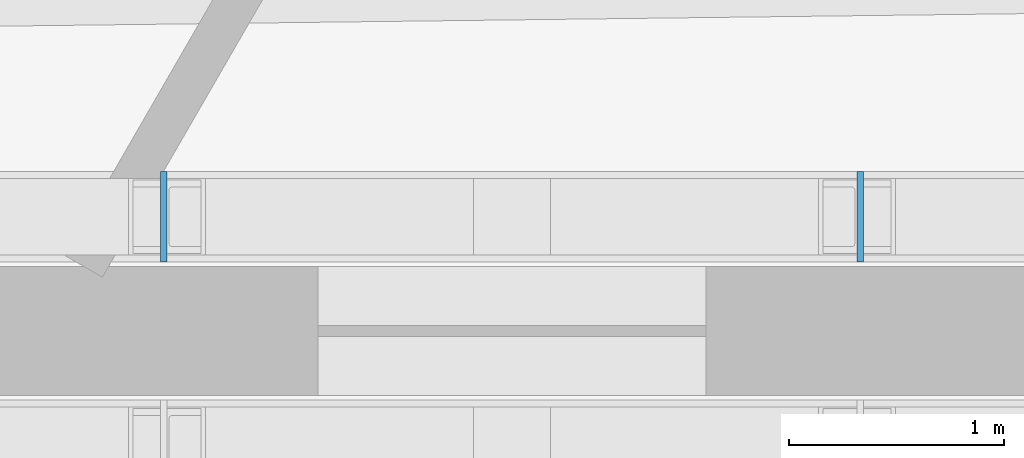
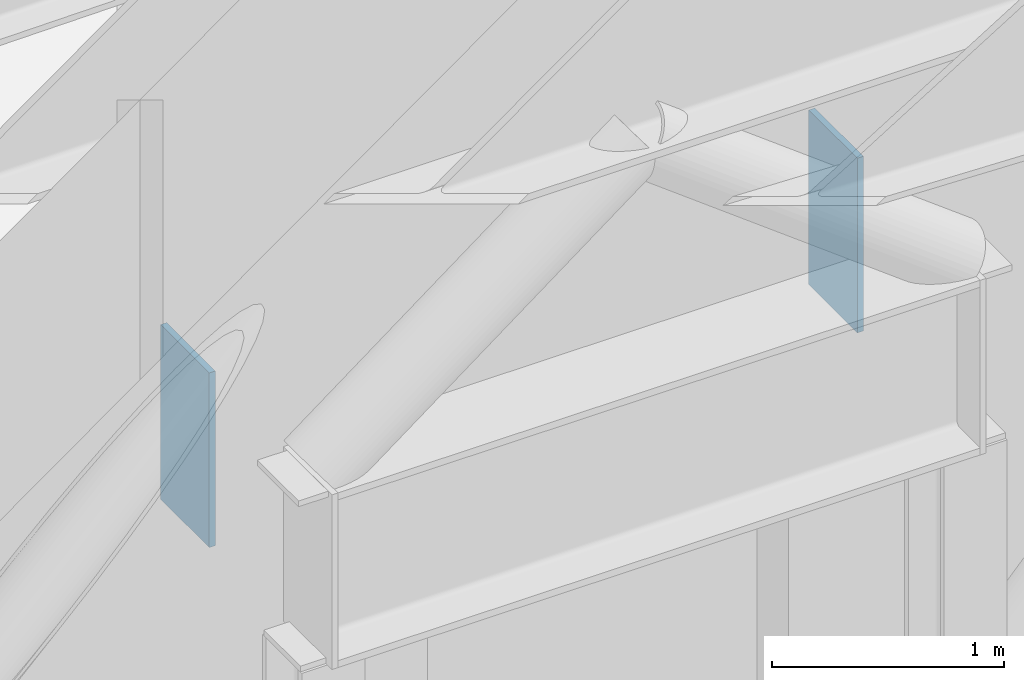
# One storey, part 19 of 27: 2 discrete accessories.
"""IFC4 building model written with IfcOpenShell, lengths in metres."""

from ifc_helpers import new_model, si_unit, direction, frame, origin, origin_2d, place, context, subcontext, project, spatial, rectangle, extrude, material, type_object, element, save


model = new_model("IFC4")

# Units and contexts
model_context = context("Model", 3, precision=1e-05, world=origin(), true_north=direction((0.0, 1.0)))
body_context = subcontext(model_context, "Body", "Model", "MODEL_VIEW")
ifc_project = project(units=[si_unit("LENGTHUNIT", "METRE"), si_unit("AREAUNIT", "SQUARE_METRE"), si_unit("VOLUMEUNIT", "CUBIC_METRE"), si_unit("PLANEANGLEUNIT", "RADIAN"), si_unit("MASSUNIT", "GRAM", prefix="KILO")], contexts=[model_context])

# Site, building, storey
site_placement = place(None, origin())
site = spatial("IfcSite", under=ifc_project, at=site_placement, CompositionType="ELEMENT")
building_placement = place(site_placement, origin())
building = spatial("IfcBuilding", under=site, at=building_placement, Name="Tarnside Tower", CompositionType="ELEMENT")
storey_placement = place(building_placement, frame((0.0, 0.0, 146.699951171875)))
storey = spatial("IfcBuildingStorey", under=building, at=storey_placement, Name="L34", CompositionType="ELEMENT", Elevation=146.699951171875)

# Discrete accessories
ifc_material = material(Name="Steel S355", Category="steel")
discrete_accessory_type = type_object("IfcDiscreteAccessoryType", Name="Gusset plate L34 outrigger end 420", PredefinedType="USERDEFINED", material=ifc_material)
for number, where, z_axis, x_axis, name in (
    (1, (-22.80419921875, 0.5302734375, 2.4501953125), (0.0, 0.0, 1.0), (1.0, 0.0, 0.0), "Gusset plate 52 L34"),
    (2, (-26.036376953125, 0.5302734375, 2.4501953125), (0.0, 0.0, 1.0), (-1.0, 0.0, 0.0), "Gusset plate 53 L34"),
):
    element("IfcDiscreteAccessory", number, at=place(storey_placement, frame(where, z_axis=z_axis, x_axis=x_axis)), inside=storey, type_object=discrete_accessory_type, Name=name, ObjectType="Gusset plate", PredefinedType="USERDEFINED", context=body_context, shape_type="SweptSolid", body=[
        extrude(rectangle(XDim=0.030029296875, YDim=0.42041015625, at=origin_2d()), origin(), (0.0, 0.0, 1.0), 0.9208984375),
    ])

save(model, "model.ifc")
